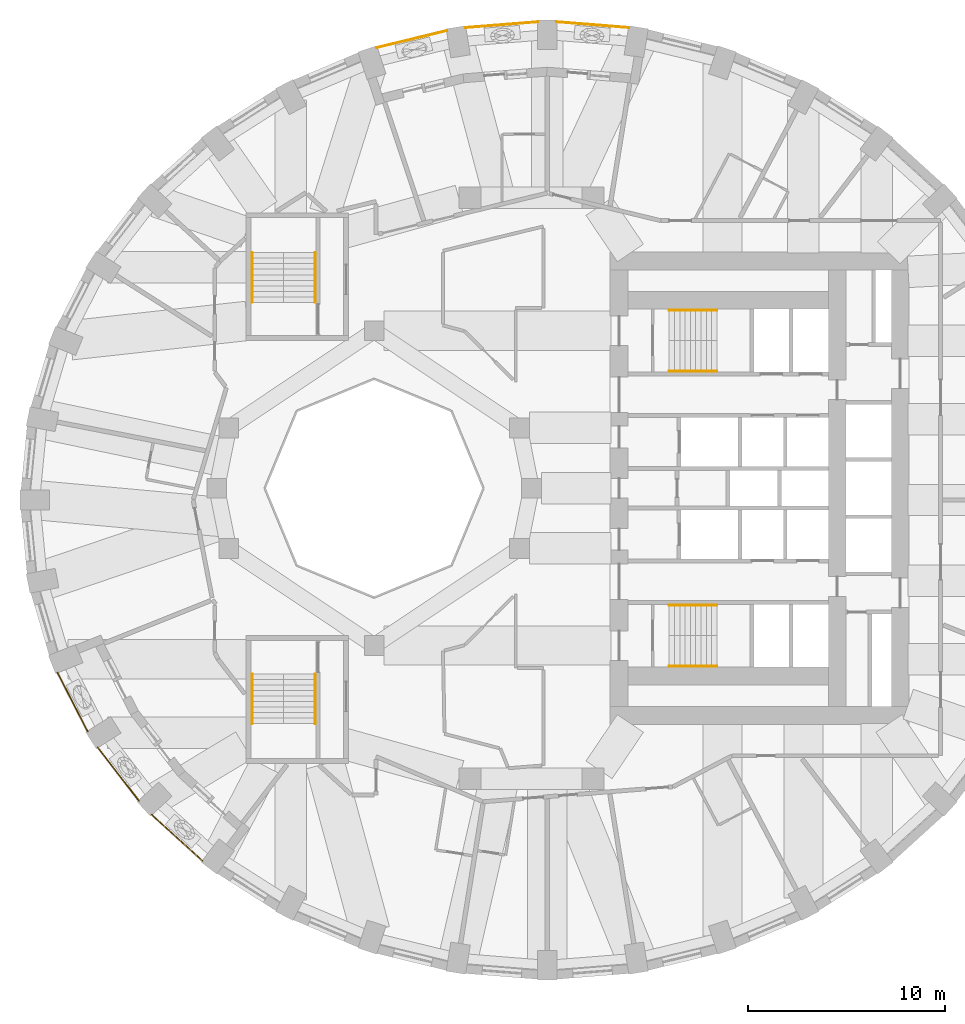
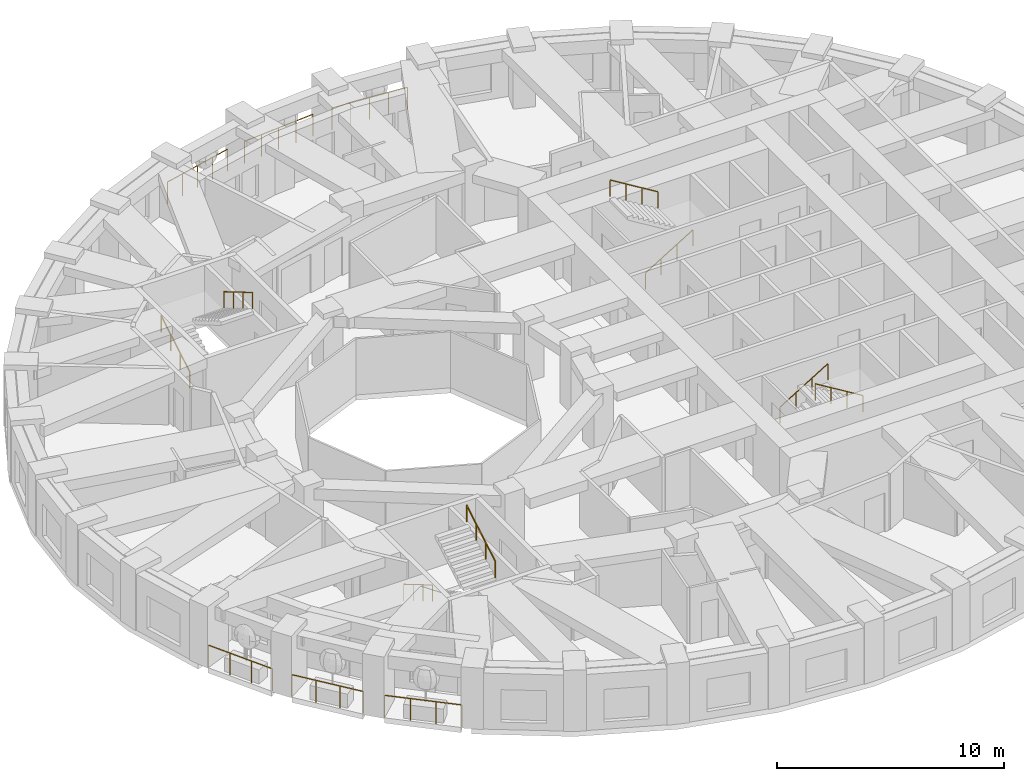
# One storey, part 10 of 12: 14 railings.
"""IFC4 building model written with IfcOpenShell, lengths in metres."""

from ifc_helpers import new_model, si_unit, direction, frame, origin, origin_2d, place, context, subcontext, project, spatial, circle, extrude, material, type_object, element, save


model = new_model("IFC4")

# Units and contexts
model_context = context("Model", 3, precision=1e-05, world=origin(), true_north=direction((0.0, 1.0)))
body_context = subcontext(model_context, "Body", "Model", "MODEL_VIEW")
ifc_project = project(units=[si_unit("LENGTHUNIT", "METRE"), si_unit("AREAUNIT", "SQUARE_METRE"), si_unit("VOLUMEUNIT", "CUBIC_METRE"), si_unit("PLANEANGLEUNIT", "RADIAN"), si_unit("MASSUNIT", "GRAM", prefix="KILO")], contexts=[model_context])

# Site, building, storey
site_placement = place(None, origin())
site = spatial("IfcSite", under=ifc_project, at=site_placement, CompositionType="ELEMENT")
building_placement = place(site_placement, origin())
building = spatial("IfcBuilding", under=site, at=building_placement, Name="Taillehof Tower", CompositionType="ELEMENT")
storey_placement = place(building_placement, frame((0.0, 0.0, 95.5)))
storey = spatial("IfcBuildingStorey", under=building, at=storey_placement, Name="L26", CompositionType="ELEMENT", Elevation=95.5)

# Railings
ifc_material_1 = material(Name="Stainless steel balustrade", Category="steel")
railing_type_1 = type_object("IfcRailingType", Name="Balcony guard 1200", PredefinedType="GUARDRAIL", material=ifc_material_1)
railing_1_placement = place(storey_placement, frame((-24.09912109375, -9.373779296875, 0.0)))
element("IfcRailing", 1, at=railing_1_placement, inside=storey, type_object=railing_type_1, Name="Balcony guard L26 bay 21", PredefinedType="GUARDRAIL", context=body_context, shape_type="SweptSolid", body=[
    extrude(circle(Radius=0.02392578125, at=origin_2d()), frame((0.0, 0.0, 1.17578125), z_axis=(0.456827973353, -0.88955505887, 0.0), x_axis=(0.88955505887, 0.456827973353, 0.0)), (0.0, 0.0, 1.0), 3.363037109375),
    extrude(circle(Radius=0.02099609375, at=origin_2d()), origin(), (0.0, 0.0, 1.0), 1.15185546875),
    extrude(circle(Radius=0.02099609375, at=origin_2d()), frame((0.51220703125, -0.997314453125, 0.0)), (0.0, 0.0, 1.0), 1.15185546875),
    extrude(circle(Radius=0.02099609375, at=origin_2d()), frame((1.024169921875, -1.994384765625, 0.0)), (0.0, 0.0, 1.0), 1.15185546875),
    extrude(circle(Radius=0.02099609375, at=origin_2d()), frame((1.536376953125, -2.99169921875, 0.0)), (0.0, 0.0, 1.0), 1.15185546875),
])
railing_2_placement = place(storey_placement, frame((-22.048095703125, -13.17626953125, 0.0)))
element("IfcRailing", 2, at=railing_2_placement, inside=storey, type_object=railing_type_1, Name="Balcony guard L26 bay 22", PredefinedType="GUARDRAIL", context=body_context, shape_type="SweptSolid", body=[
    extrude(circle(Radius=0.02392578125, at=origin_2d()), frame((0.0, 0.0, 1.17578125), z_axis=(0.610692337077, -0.791867962122, 0.0), x_axis=(0.791867962122, 0.610692337077, 0.0)), (0.0, 0.0, 1.0), 3.424072265625),
    extrude(circle(Radius=0.02099609375, at=origin_2d()), origin(), (0.0, 0.0, 1.0), 1.15185546875),
    extrude(circle(Radius=0.02099609375, at=origin_2d()), frame((0.697021484375, -0.90380859375, 0.0)), (0.0, 0.0, 1.0), 1.15185546875),
    extrude(circle(Radius=0.02099609375, at=origin_2d()), frame((1.39404296875, -1.8076171875, 0.0)), (0.0, 0.0, 1.0), 1.15185546875),
    extrude(circle(Radius=0.02099609375, at=origin_2d()), frame((2.091064453125, -2.71142578125, 0.0)), (0.0, 0.0, 1.0), 1.15185546875),
])
railing_3_placement = place(storey_placement, frame((-19.305908203125, -16.593505859375, 0.0)))
element("IfcRailing", 3, at=railing_3_placement, inside=storey, type_object=railing_type_1, Name="Balcony guard L26 bay 23", PredefinedType="GUARDRAIL", context=body_context, shape_type="SweptSolid", body=[
    extrude(circle(Radius=0.02392578125, at=origin_2d()), frame((0.0, 0.0, 1.17578125), z_axis=(0.740395369755, -0.672171627225, 0.0), x_axis=(0.672171627225, 0.740395369755, 0.0)), (0.0, 0.0, 1.0), 3.49267578125),
    extrude(circle(Radius=0.02099609375, at=origin_2d()), origin(), (0.0, 0.0, 1.0), 1.15185546875),
    extrude(circle(Radius=0.02099609375, at=origin_2d()), frame((0.862060546875, -0.782470703125, 0.0)), (0.0, 0.0, 1.0), 1.15185546875),
    extrude(circle(Radius=0.02099609375, at=origin_2d()), frame((1.723876953125, -1.565185546875, 0.0)), (0.0, 0.0, 1.0), 1.15185546875),
    extrude(circle(Radius=0.02099609375, at=origin_2d()), frame((2.5859375, -2.34765625, 0.0)), (0.0, 0.0, 1.0), 1.15185546875),
])
railing_4_placement = place(storey_placement, frame((4.952880859375, 23.409912109375, 0.0)))
element("IfcRailing", 4, at=railing_4_placement, inside=storey, type_object=railing_type_1, Name="Balcony guard L26 bay 9", PredefinedType="GUARDRAIL", context=body_context, shape_type="SweptSolid", body=[
    extrude(circle(Radius=0.02392578125, at=origin_2d()), frame((0.0, 0.0, 1.17578125), z_axis=(-0.996859998308, 0.07918423943, 0.0), x_axis=(-0.07918423943, -0.996859998308, 0.0)), (0.0, 0.0, 1.0), 3.684326171875),
    extrude(circle(Radius=0.02099609375, at=origin_2d()), origin(), (0.0, 0.0, 1.0), 1.15185546875),
    extrude(circle(Radius=0.02099609375, at=origin_2d()), frame((-0.918212890625, 0.072998046875, 0.0)), (0.0, 0.0, 1.0), 1.15185546875),
    extrude(circle(Radius=0.02099609375, at=origin_2d()), frame((-1.83642578125, 0.14599609375, 0.0)), (0.0, 0.0, 1.0), 1.15185546875),
    extrude(circle(Radius=0.02099609375, at=origin_2d()), frame((-2.754638671875, 0.21875, 0.0)), (0.0, 0.0, 1.0), 1.15185546875),
    extrude(circle(Radius=0.02099609375, at=origin_2d()), frame((-3.6728515625, 0.291748046875, 0.0)), (0.0, 0.0, 1.0), 1.15185546875),
])
railing_5_placement = place(storey_placement, frame((0.31982421875, 23.70166015625, 0.0)))
element("IfcRailing", 5, at=railing_5_placement, inside=storey, type_object=railing_type_1, Name="Balcony guard L26 bay 10", PredefinedType="GUARDRAIL", context=body_context, shape_type="SweptSolid", body=[
    extrude(circle(Radius=0.02392578125, at=origin_2d()), frame((0.0, 0.0, 1.17578125), z_axis=(-0.996859582788, -0.079189470281, 0.0), x_axis=(0.079189470281, -0.996859582788, 0.0)), (0.0, 0.0, 1.0), 3.68408203125),
    extrude(circle(Radius=0.02099609375, at=origin_2d()), origin(), (0.0, 0.0, 1.0), 1.15185546875),
    extrude(circle(Radius=0.02099609375, at=origin_2d()), frame((-0.918212890625, -0.072998046875, 0.0)), (0.0, 0.0, 1.0), 1.15185546875),
    extrude(circle(Radius=0.02099609375, at=origin_2d()), frame((-1.83642578125, -0.14599609375, 0.0)), (0.0, 0.0, 1.0), 1.15185546875),
    extrude(circle(Radius=0.02099609375, at=origin_2d()), frame((-2.75439453125, -0.21875, 0.0)), (0.0, 0.0, 1.0), 1.15185546875),
    extrude(circle(Radius=0.02099609375, at=origin_2d()), frame((-3.672607421875, -0.291748046875, 0.0)), (0.0, 0.0, 1.0), 1.15185546875),
])
railing_6_placement = place(storey_placement, frame((-4.30078125, 23.258056640625, 0.0)))
element("IfcRailing", 6, at=railing_6_placement, inside=storey, type_object=railing_type_1, Name="Balcony guard L26 bay 11", PredefinedType="GUARDRAIL", context=body_context, shape_type="SweptSolid", body=[
    extrude(circle(Radius=0.02392578125, at=origin_2d()), frame((0.0, 0.0, 1.17578125), z_axis=(-0.97164897724, -0.23642813925, 0.0), x_axis=(0.23642813925, -0.97164897724, 0.0)), (0.0, 0.0, 1.0), 3.66162109375),
    extrude(circle(Radius=0.02099609375, at=origin_2d()), origin(), (0.0, 0.0, 1.0), 1.15185546875),
    extrude(circle(Radius=0.02099609375, at=origin_2d()), frame((-0.889404296875, -0.21630859375, 0.0)), (0.0, 0.0, 1.0), 1.15185546875),
    extrude(circle(Radius=0.02099609375, at=origin_2d()), frame((-1.77880859375, -0.432861328125, 0.0)), (0.0, 0.0, 1.0), 1.15185546875),
    extrude(circle(Radius=0.02099609375, at=origin_2d()), frame((-2.66845703125, -0.6494140625, 0.0)), (0.0, 0.0, 1.0), 1.15185546875),
    extrude(circle(Radius=0.02099609375, at=origin_2d()), frame((-3.557861328125, -0.86572265625, 0.0)), (0.0, 0.0, 1.0), 1.15185546875),
])
ifc_material_2 = material(Name="Stainless steel", Category="steel")
railing_type_2 = type_object("IfcRailingType", Name="Stair handrail 900", PredefinedType="HANDRAIL", material=ifc_material_2)
railing_7_placement = place(storey_placement, frame((7.0, 5.949951171875, 0.1650390625)))
element("IfcRailing", 7, at=railing_7_placement, inside=storey, type_object=railing_type_2, Name="Stair S1 handrail", PredefinedType="HANDRAIL", context=body_context, shape_type="SweptSolid", body=[
    extrude(circle(Radius=0.02392578125, at=origin_2d()), frame((0.0, 0.0, 0.8759765625), z_axis=(0.853296667938, 0.0, 0.521425734392), x_axis=(0.0, 1.0, 0.0)), (0.0, 0.0, 1.0), 2.84765625),
    extrude(circle(Radius=0.02099609375, at=origin_2d()), origin(), (0.0, 0.0, 1.0), 0.851806640625),
    extrude(circle(Radius=0.02099609375, at=origin_2d()), frame((0.81005859375, 0.0, 0.494873046875)), (0.0, 0.0, 1.0), 0.851806640625),
    extrude(circle(Radius=0.02099609375, at=origin_2d()), frame((1.619873046875, 0.0, 0.989990234375)), (0.0, 0.0, 1.0), 0.851806640625),
    extrude(circle(Radius=0.02099609375, at=origin_2d()), frame((2.429931640625, 0.0, 1.48486328125)), (0.0, 0.0, 1.0), 0.851806640625),
])
railing_8_placement = place(storey_placement, frame((9.429931640625, 9.050048828125, 1.81494140625)))
element("IfcRailing", 8, at=railing_8_placement, inside=storey, type_object=railing_type_2, Name="Stair S1 handrail", PredefinedType="HANDRAIL", context=body_context, shape_type="SweptSolid", body=[
    extrude(circle(Radius=0.02392578125, at=origin_2d()), frame((0.0, 0.0, 0.8759765625), z_axis=(-0.853258522278, 0.0, 0.521488153423), x_axis=(0.0, -1.0, 0.0)), (0.0, 0.0, 1.0), 2.847900390625),
    extrude(circle(Radius=0.02099609375, at=origin_2d()), origin(), (0.0, 0.0, 1.0), 0.851806640625),
    extrude(circle(Radius=0.02099609375, at=origin_2d()), frame((-0.81005859375, 0.0, 0.4951171875)), (0.0, 0.0, 1.0), 0.851806640625),
    extrude(circle(Radius=0.02099609375, at=origin_2d()), frame((-1.619873046875, 0.0, 0.989990234375)), (0.0, 0.0, 1.0), 0.851806640625),
    extrude(circle(Radius=0.02099609375, at=origin_2d()), frame((-2.429931640625, 0.0, 1.485107421875)), (0.0, 0.0, 1.0), 0.851806640625),
])
railing_9_placement = place(storey_placement, frame((7.0, -5.949951171875, 0.1650390625)))
element("IfcRailing", 9, at=railing_9_placement, inside=storey, type_object=railing_type_2, Name="Stair S2 handrail", PredefinedType="HANDRAIL", context=body_context, shape_type="SweptSolid", body=[
    extrude(circle(Radius=0.02392578125, at=origin_2d()), frame((0.0, 0.0, 0.8759765625), z_axis=(0.853296667938, 0.0, 0.521425734392), x_axis=(0.0, 1.0, 0.0)), (0.0, 0.0, 1.0), 2.84765625),
    extrude(circle(Radius=0.02099609375, at=origin_2d()), origin(), (0.0, 0.0, 1.0), 0.851806640625),
    extrude(circle(Radius=0.02099609375, at=origin_2d()), frame((0.81005859375, 0.0, 0.494873046875)), (0.0, 0.0, 1.0), 0.851806640625),
    extrude(circle(Radius=0.02099609375, at=origin_2d()), frame((1.619873046875, 0.0, 0.989990234375)), (0.0, 0.0, 1.0), 0.851806640625),
    extrude(circle(Radius=0.02099609375, at=origin_2d()), frame((2.429931640625, 0.0, 1.48486328125)), (0.0, 0.0, 1.0), 0.851806640625),
])
railing_10_placement = place(storey_placement, frame((9.429931640625, -9.050048828125, 1.81494140625)))
element("IfcRailing", 10, at=railing_10_placement, inside=storey, type_object=railing_type_2, Name="Stair S2 handrail", PredefinedType="HANDRAIL", context=body_context, shape_type="SweptSolid", body=[
    extrude(circle(Radius=0.02392578125, at=origin_2d()), frame((0.0, 0.0, 0.8759765625), z_axis=(-0.853258522278, 0.0, 0.521488153423), x_axis=(0.0, -1.0, 0.0)), (0.0, 0.0, 1.0), 2.847900390625),
    extrude(circle(Radius=0.02099609375, at=origin_2d()), origin(), (0.0, 0.0, 1.0), 0.851806640625),
    extrude(circle(Radius=0.02099609375, at=origin_2d()), frame((-0.81005859375, 0.0, 0.4951171875)), (0.0, 0.0, 1.0), 0.851806640625),
    extrude(circle(Radius=0.02099609375, at=origin_2d()), frame((-1.619873046875, 0.0, 0.989990234375)), (0.0, 0.0, 1.0), 0.851806640625),
    extrude(circle(Radius=0.02099609375, at=origin_2d()), frame((-2.429931640625, 0.0, 1.485107421875)), (0.0, 0.0, 1.0), 0.851806640625),
])
railing_11_placement = place(storey_placement, frame((-14.199951171875, 9.449951171875, 0.1650390625)))
element("IfcRailing", 11, at=railing_11_placement, inside=storey, type_object=railing_type_2, Name="Stair S3 handrail", PredefinedType="HANDRAIL", context=body_context, shape_type="SweptSolid", body=[
    extrude(circle(Radius=0.02392578125, at=origin_2d()), frame((0.0, 0.0, 0.8759765625), z_axis=(0.0, 0.861560626758, 0.507654692109), x_axis=(-1.0, 0.0, 0.0)), (0.0, 0.0, 1.0), 2.925048828125),
    extrude(circle(Radius=0.02099609375, at=origin_2d()), origin(), (0.0, 0.0, 1.0), 0.851806640625),
    extrude(circle(Radius=0.02099609375, at=origin_2d()), frame((0.0, 0.840087890625, 0.494873046875)), (0.0, 0.0, 1.0), 0.851806640625),
    extrude(circle(Radius=0.02099609375, at=origin_2d()), frame((0.0, 1.679931640625, 0.989990234375)), (0.0, 0.0, 1.0), 0.851806640625),
    extrude(circle(Radius=0.02099609375, at=origin_2d()), frame((0.0, 2.52001953125, 1.48486328125)), (0.0, 0.0, 1.0), 0.851806640625),
])
railing_12_placement = place(storey_placement, frame((-11.0, 11.969970703125, 1.81494140625)))
element("IfcRailing", 12, at=railing_12_placement, inside=storey, type_object=railing_type_2, Name="Stair S3 handrail", PredefinedType="HANDRAIL", context=body_context, shape_type="SweptSolid", body=[
    extrude(circle(Radius=0.02392578125, at=origin_2d()), frame((0.0, 0.0, 0.8759765625), z_axis=(0.0, -0.86152411907, 0.507716645641), x_axis=(1.0, 0.0, 0.0)), (0.0, 0.0, 1.0), 2.925048828125),
    extrude(circle(Radius=0.02099609375, at=origin_2d()), origin(), (0.0, 0.0, 1.0), 0.851806640625),
    extrude(circle(Radius=0.02099609375, at=origin_2d()), frame((0.0, -0.840087890625, 0.4951171875)), (0.0, 0.0, 1.0), 0.851806640625),
    extrude(circle(Radius=0.02099609375, at=origin_2d()), frame((0.0, -1.679931640625, 0.989990234375)), (0.0, 0.0, 1.0), 0.851806640625),
    extrude(circle(Radius=0.02099609375, at=origin_2d()), frame((0.0, -2.52001953125, 1.485107421875)), (0.0, 0.0, 1.0), 0.851806640625),
])
railing_13_placement = place(storey_placement, frame((-14.199951171875, -9.449951171875, 0.1650390625)))
element("IfcRailing", 13, at=railing_13_placement, inside=storey, type_object=railing_type_2, Name="Stair S4 handrail", PredefinedType="HANDRAIL", context=body_context, shape_type="SweptSolid", body=[
    extrude(circle(Radius=0.02392578125, at=origin_2d()), frame((0.0, 0.0, 0.8759765625), z_axis=(0.0, -0.861560626758, 0.507654692109), x_axis=(1.0, 0.0, 0.0)), (0.0, 0.0, 1.0), 2.925048828125),
    extrude(circle(Radius=0.02099609375, at=origin_2d()), origin(), (0.0, 0.0, 1.0), 0.851806640625),
    extrude(circle(Radius=0.02099609375, at=origin_2d()), frame((0.0, -0.840087890625, 0.494873046875)), (0.0, 0.0, 1.0), 0.851806640625),
    extrude(circle(Radius=0.02099609375, at=origin_2d()), frame((0.0, -1.679931640625, 0.989990234375)), (0.0, 0.0, 1.0), 0.851806640625),
    extrude(circle(Radius=0.02099609375, at=origin_2d()), frame((0.0, -2.52001953125, 1.48486328125)), (0.0, 0.0, 1.0), 0.851806640625),
])
railing_14_placement = place(storey_placement, frame((-11.0, -11.969970703125, 1.81494140625)))
element("IfcRailing", 14, at=railing_14_placement, inside=storey, type_object=railing_type_2, Name="Stair S4 handrail", PredefinedType="HANDRAIL", context=body_context, shape_type="SweptSolid", body=[
    extrude(circle(Radius=0.02392578125, at=origin_2d()), frame((0.0, 0.0, 0.8759765625), z_axis=(0.0, 0.86152411907, 0.507716645641), x_axis=(-1.0, 0.0, 0.0)), (0.0, 0.0, 1.0), 2.925048828125),
    extrude(circle(Radius=0.02099609375, at=origin_2d()), origin(), (0.0, 0.0, 1.0), 0.851806640625),
    extrude(circle(Radius=0.02099609375, at=origin_2d()), frame((0.0, 0.840087890625, 0.4951171875)), (0.0, 0.0, 1.0), 0.851806640625),
    extrude(circle(Radius=0.02099609375, at=origin_2d()), frame((0.0, 1.679931640625, 0.989990234375)), (0.0, 0.0, 1.0), 0.851806640625),
    extrude(circle(Radius=0.02099609375, at=origin_2d()), frame((0.0, 2.52001953125, 1.485107421875)), (0.0, 0.0, 1.0), 0.851806640625),
])

save(model, "model.ifc")
